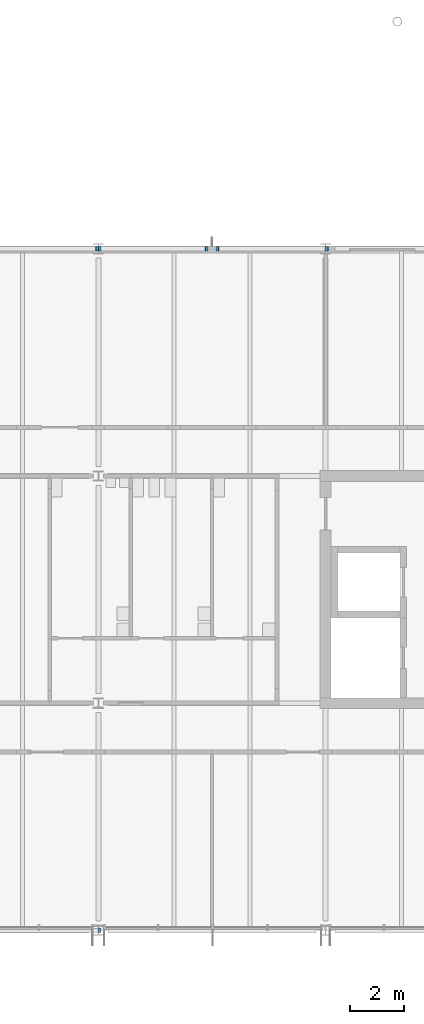
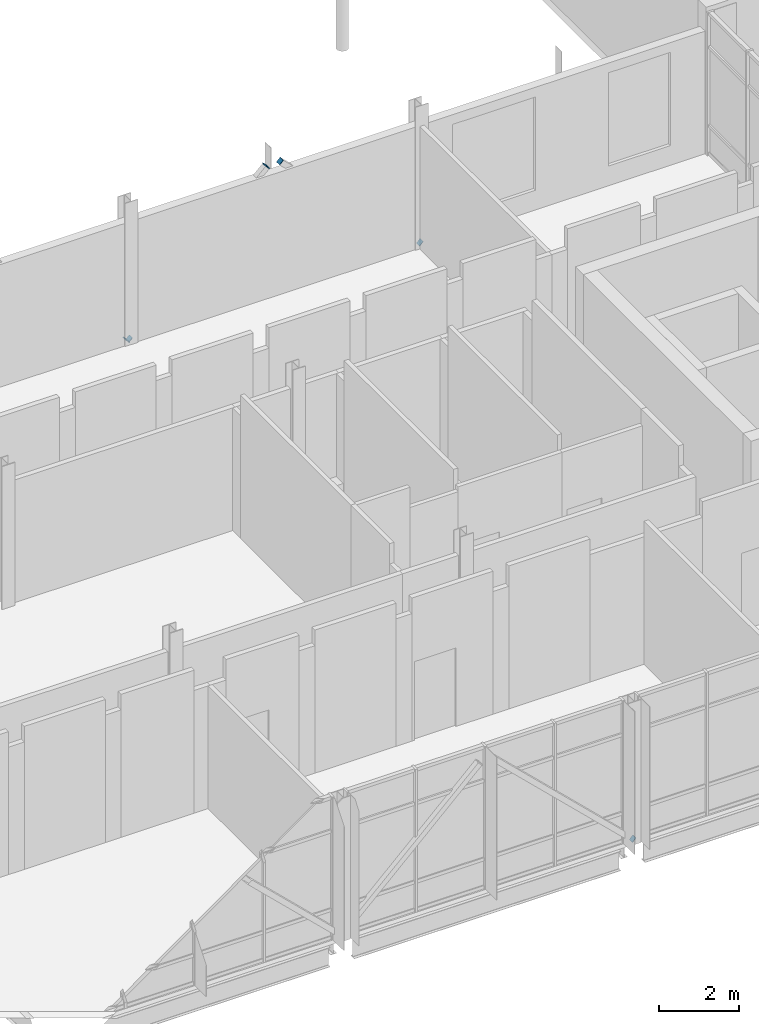
# One storey, part 62 of 89: 6 discrete accessories.
"""IFC4 building model written with IfcOpenShell, lengths in metres."""

import ifcopenshell
import ifcopenshell.guid

model = None  # the IFC model being written
_history = None  # IfcOwnerHistory: only IFC2X3 demands one
_inside = {}  # id of a spatial element -> (the spatial element, [elements in it])
_under = {}  # id of a project, library or spatial element -> (it, [spatial elements below it])
_declared = {}  # id of a project -> (the project, [libraries it declares])
_typed = {}  # id of a type object -> (the type object, [elements of that type])
_made_of = {}  # id of a material, layer set ... -> (it, [elements and type objects made of it])


def new_model(schema):
    """Start an empty IFC model of exactly this schema.

    Asked for "IFC4X3", IfcOpenShell would pick the latest addendum, in which some entities
    have other attributes; the version numbers below select the first issue.
    IFC2X3 requires an IfcOwnerHistory on every rooted entity: one is made here for all.
    """
    global model, _history
    if schema == "IFC4X3":
        model = ifcopenshell.file(schema_version=(4, 3, 0, 0))
    else:
        model = ifcopenshell.file(schema=schema)
    _inside.clear()
    _under.clear()
    _declared.clear()
    _typed.clear()
    _made_of.clear()
    _history = None
    if model.schema == "IFC2X3":
        org = make("IfcOrganization", Name="unknown")
        user = make(
            "IfcPersonAndOrganization",
            ThePerson=make("IfcPerson", FamilyName="unknown"),
            TheOrganization=org,
        )
        app = make(
            "IfcApplication",
            ApplicationDeveloper=org,
            Version="unknown",
            ApplicationFullName="unknown",
            ApplicationIdentifier="unknown",
        )
        _history = make(
            "IfcOwnerHistory",
            OwningUser=user,
            OwningApplication=app,
            ChangeAction="ADDED",
            CreationDate=0,
        )
    return model


def make(cls, **values):
    """One entity of the class cls with the attributes given. An attribute that is None is left unset."""
    return model.create_entity(
        cls, **{name: value for name, value in values.items() if value is not None}
    )


def rooted(cls, **values):
    """An entity with a GlobalId (a new one), such as an element, a storey or a relation."""
    return make(cls, GlobalId=ifcopenshell.guid.new(), OwnerHistory=_history, **values)


def si_unit(unit_type, name, prefix=None):
    """IfcSIUnit, for example si_unit("LENGTHUNIT", "METRE", prefix="MILLI")."""
    return make("IfcSIUnit", UnitType=unit_type, Prefix=prefix, Name=name)


def assignment(units):
    """IfcUnitAssignment: the units of a project."""
    return None if units is None else make("IfcUnitAssignment", Units=units)


def point(xyz):
    """IfcCartesianPoint."""
    return None if xyz is None else make("IfcCartesianPoint", Coordinates=xyz)


def direction(xyz):
    """IfcDirection."""
    return None if xyz is None else make("IfcDirection", DirectionRatios=xyz)


def frame(location, z_axis=None, x_axis=None):
    """IfcAxis2Placement3D, a coordinate frame: its origin and axes. An axis left out is left unset."""
    return make(
        "IfcAxis2Placement3D",
        Location=point(location),
        Axis=direction(z_axis),
        RefDirection=direction(x_axis),
    )


def frame_2d(location, x_axis=None):
    """IfcAxis2Placement2D, a coordinate frame in the plane: its origin and x axis."""
    return make(
        "IfcAxis2Placement2D", Location=point(location), RefDirection=direction(x_axis)
    )


def origin():
    """The frame at (0, 0, 0) with its axes left unset."""
    return frame((0.0, 0.0, 0.0))


def origin_2d():
    """The frame at (0, 0) in the plane with its x axis left unset."""
    return frame_2d((0.0, 0.0))


def place(relative_to, where):
    """IfcLocalPlacement: puts the frame where relative to a parent placement (None: the world)."""
    return make(
        "IfcLocalPlacement", PlacementRelTo=relative_to, RelativePlacement=where
    )


def context(
    kind, dimensions, precision=None, world=None, true_north=None, identifier=None
):
    """IfcGeometricRepresentationContext, for example the 3D "Model" context."""
    return make(
        "IfcGeometricRepresentationContext",
        ContextIdentifier=identifier,
        ContextType=kind,
        CoordinateSpaceDimension=dimensions,
        Precision=precision,
        WorldCoordinateSystem=world,
        TrueNorth=true_north,
    )


def subcontext(parent, identifier, kind, view, scale=None):
    """IfcGeometricRepresentationSubContext, for example "Body" below "Model"."""
    return make(
        "IfcGeometricRepresentationSubContext",
        ContextIdentifier=identifier,
        ContextType=kind,
        ParentContext=parent,
        TargetScale=scale,
        TargetView=view,
    )


def project(units=None, contexts=None):
    """IfcProject with its units and contexts."""
    return rooted(
        "IfcProject",
        Name="project",
        RepresentationContexts=contexts,
        UnitsInContext=assignment(units),
    )


def spatial(cls, under=None, at=None, **own):
    """A site, building, storey or space (cls), placed at a placement, below another one or the project."""
    s = rooted(cls, ObjectPlacement=at, **own)
    if under is not None:
        _under.setdefault(under.id(), (under, []))[1].append(s)
    return s


def profile(cls, at=None, kind="AREA", **sizes):
    """A parametric profile (cls). Its sizes go by their IFC names, for example OverallWidth=200.0."""
    return make(cls, ProfileType=kind, Position=at, **sizes)


def rectangle(**sizes):
    """IfcRectangleProfileDef."""
    return profile("IfcRectangleProfileDef", **sizes)


def extrude(swept, where, along, depth):
    """IfcExtrudedAreaSolid: the profile swept, set in the frame where, extruded along a direction by depth."""
    return make(
        "IfcExtrudedAreaSolid",
        SweptArea=swept,
        Position=where,
        ExtrudedDirection=direction(along),
        Depth=depth,
    )


def shape(context_of_items, identifier, shape_type, items):
    """IfcShapeRepresentation: the items that make up one representation, for example the "Body"."""
    return make(
        "IfcShapeRepresentation",
        ContextOfItems=context_of_items,
        RepresentationIdentifier=identifier,
        RepresentationType=shape_type,
        Items=items,
    )


def material(Name=None, Category=None):
    """IfcMaterial."""
    return make("IfcMaterial", Name=Name, Category=Category)


def made_of(thing, what):
    """Note that an element or type object is made of a material, layer set ...; save() writes the relation."""
    if what is not None:
        _made_of.setdefault(what.id(), (what, []))[1].append(thing)
    return thing


def element(
    cls,
    number,
    at=None,
    inside=None,
    cuts=None,
    type_object=None,
    material=None,
    context=None,
    identifier="Body",
    shape_type=None,
    held_by="IfcProductDefinitionShape",
    body=None,
    shapes=None,
    **own,
):
    """One element of the class cls, such as IfcWall. Its Tag is "e" and its number.

    at: its placement. inside: the storey or other place that contains it. cuts: it is an
    opening in that element (IfcRelVoidsElement). A single representation is given by context,
    identifier, shape_type and body (its items); several are given by shapes. held_by: the class
    of the entity that holds the representations. save() writes the other relations.
    """
    e = rooted(cls, Tag="e%d" % number, ObjectPlacement=at, **own)
    if body is not None:
        shapes = [shape(context, identifier, shape_type, body)]
    if shapes is not None:
        e.Representation = make(held_by, Representations=shapes)
    if inside is not None:
        _inside.setdefault(inside.id(), (inside, []))[1].append(e)
    if cuts is not None:
        rooted(
            "IfcRelVoidsElement", RelatingBuildingElement=cuts, RelatedOpeningElement=e
        )
    if type_object is not None:
        _typed.setdefault(type_object.id(), (type_object, []))[1].append(e)
    return made_of(e, material)


def aggregate(whole, parts):
    """IfcRelAggregates: a whole, such as a stair, and the parts it consists of."""
    return rooted("IfcRelAggregates", RelatingObject=whole, RelatedObjects=parts)


def save(model, path):
    """Write the relations noted so far, then the file.

    IfcRelAggregates (storeys below a building ...), IfcRelContainedInSpatialStructure (elements
    in a storey), IfcRelDefinesByType, IfcRelAssociatesMaterial and IfcRelDeclares: one each for
    every whole, place, type object, material and project.
    """
    for whole, parts in _under.values():
        aggregate(whole, parts)
    for where, things in _inside.values():
        rooted(
            "IfcRelContainedInSpatialStructure",
            RelatedElements=things,
            RelatingStructure=where,
        )
    for kind, things in _typed.values():
        rooted("IfcRelDefinesByType", RelatedObjects=things, RelatingType=kind)
    for what, things in _made_of.values():
        rooted("IfcRelAssociatesMaterial", RelatedObjects=things, RelatingMaterial=what)
    for by, libraries in _declared.values():
        rooted("IfcRelDeclares", RelatingContext=by, RelatedDefinitions=libraries)
    model.write(path)


model = new_model("IFC4")

# Units and contexts
model_context = context("Model", 3, precision=1e-05, world=origin(), true_north=direction((0.0, 1.0)))
body_context = subcontext(model_context, "Body", "Model", "MODEL_VIEW")
ifc_project = project(units=[si_unit("LENGTHUNIT", "METRE"), si_unit("AREAUNIT", "SQUARE_METRE"), si_unit("VOLUMEUNIT", "CUBIC_METRE"), si_unit("PLANEANGLEUNIT", "RADIAN"), si_unit("MASSUNIT", "GRAM", prefix="KILO")], contexts=[model_context])

# Site, building, storey
site_placement = place(None, origin())
site = spatial("IfcSite", under=ifc_project, at=site_placement, CompositionType="ELEMENT")
building_placement = place(site_placement, origin())
building = spatial("IfcBuilding", under=site, at=building_placement, Name="Hlaing Beacon Police Headquarters", CompositionType="ELEMENT")
storey_placement = place(building_placement, frame((0.0, 0.0, 9.89990234375)))
storey = spatial("IfcBuildingStorey", under=building, at=storey_placement, Name="L02", CompositionType="ELEMENT", Elevation=9.89990234375)

# Discrete accessories
ifc_material = material(Name="Steel ASTM A572 Grade 50", Category="steel")
for number, where, z_axis, x_axis, name in (
    (1, (42.037109375, 8.39990234375, 0.060791015625), (0.719900149017, 0.0, -0.694077643672), (0.0, 1.0, 0.0), "Gusset plate GP-007"),
    (2, (42.037109375, 33.60009765625, 0.060791015625), (0.719900149017, 0.0, -0.694077643672), (0.0, 1.0, 0.0), "Gusset plate GP-019"),
    (3, (41.962890625, 33.60009765625, 0.060791015625), (-0.719900149017, 0.0, -0.694077643672), (0.0, -1.0, 0.0), "Gusset plate GP-021"),
    (4, (45.994140625, 33.60009765625, 3.947509765625), (0.719900149017, 0.0, 0.694077643672), (0.0, 1.0, 0.0), "Gusset plate GP-022"),
    (5, (50.437255859375, 33.60009765625, 0.060791015625), (0.719921090511, 0.0, -0.694055922414), (0.0, 1.0, 0.0), "Gusset plate GP-023"),
    (6, (46.40576171875, 33.60009765625, 3.947509765625), (-0.719921090511, 0.0, 0.694055922414), (0.0, -1.0, 0.0), "Gusset plate GP-024"),
):
    element("IfcDiscreteAccessory", number, at=place(storey_placement, frame(where, z_axis=z_axis, x_axis=x_axis)), inside=storey, material=ifc_material, Name=name, PredefinedType="BRACKET", context=body_context, shape_type="SweptSolid", body=[
        extrude(rectangle(XDim=0.15234375, YDim=0.15234375, at=origin_2d()), origin(), (0.0, 0.0, 1.0), 0.01611328125),
    ])

save(model, "model.ifc")
